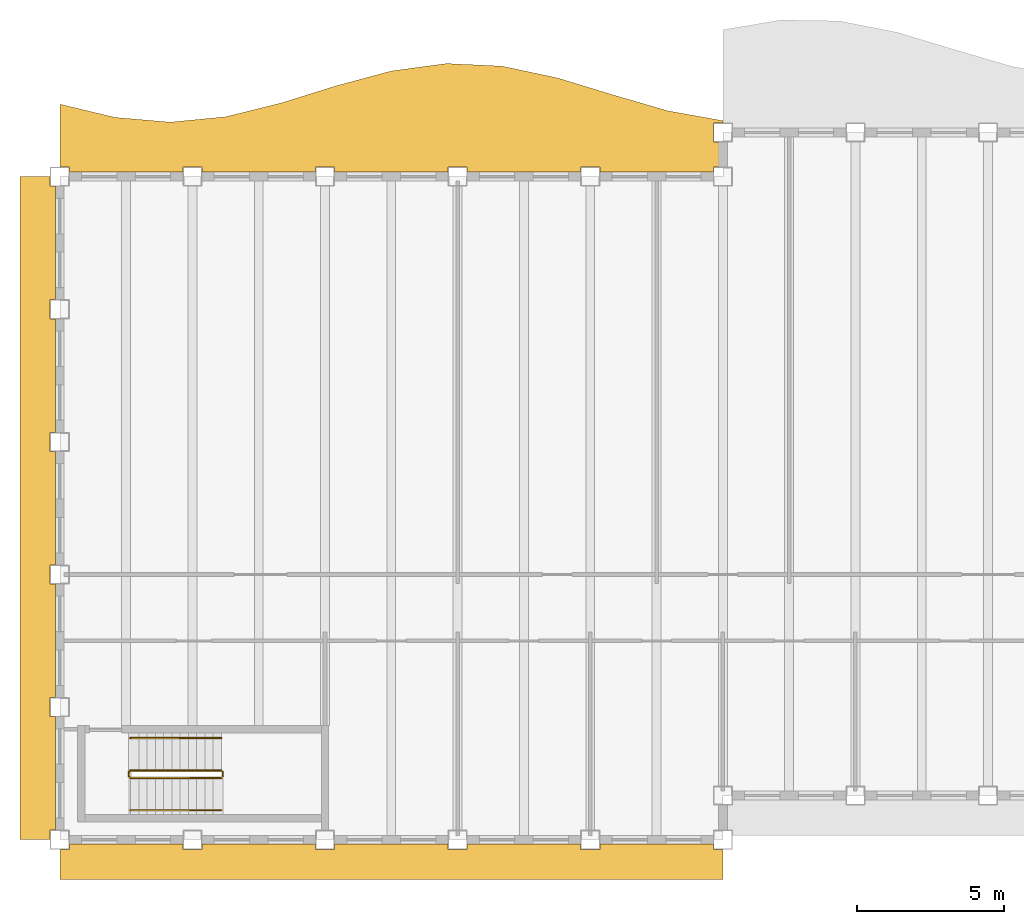
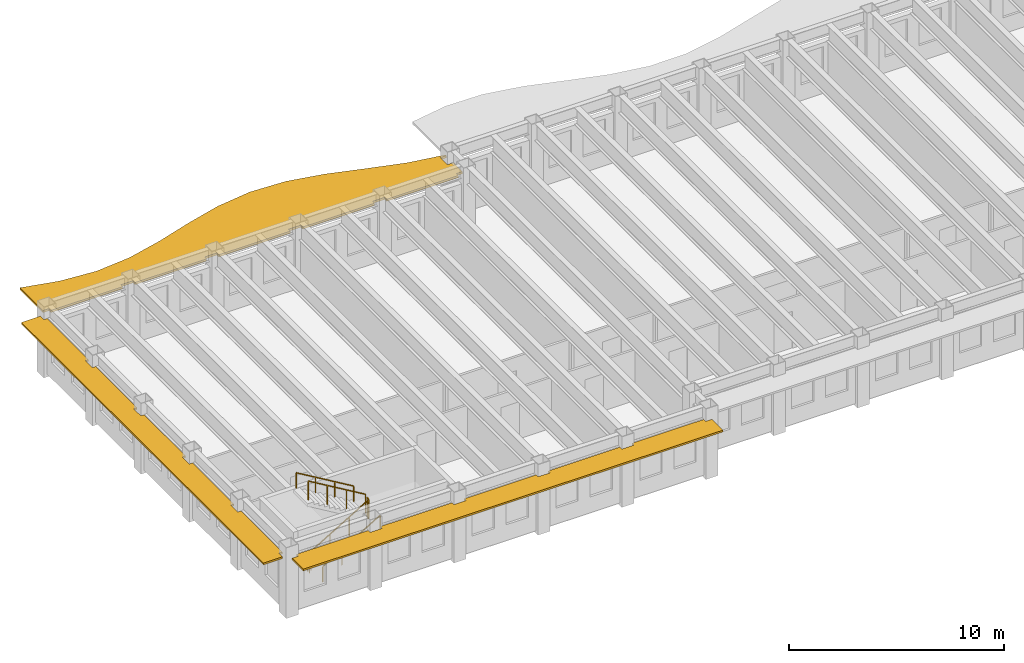
# One storey, part 8 of 12: 6 railings, 3 shading devices.
"""IFC4 building model written with IfcOpenShell, lengths in metres."""

import ifcopenshell
import ifcopenshell.guid

model = None  # the IFC model being written
_history = None  # IfcOwnerHistory: only IFC2X3 demands one
_inside = {}  # id of a spatial element -> (the spatial element, [elements in it])
_under = {}  # id of a project, library or spatial element -> (it, [spatial elements below it])
_declared = {}  # id of a project -> (the project, [libraries it declares])
_typed = {}  # id of a type object -> (the type object, [elements of that type])
_made_of = {}  # id of a material, layer set ... -> (it, [elements and type objects made of it])


def new_model(schema):
    """Start an empty IFC model of exactly this schema.

    Asked for "IFC4X3", IfcOpenShell would pick the latest addendum, in which some entities
    have other attributes; the version numbers below select the first issue.
    IFC2X3 requires an IfcOwnerHistory on every rooted entity: one is made here for all.
    """
    global model, _history
    if schema == "IFC4X3":
        model = ifcopenshell.file(schema_version=(4, 3, 0, 0))
    else:
        model = ifcopenshell.file(schema=schema)
    _inside.clear()
    _under.clear()
    _declared.clear()
    _typed.clear()
    _made_of.clear()
    _history = None
    if model.schema == "IFC2X3":
        org = make("IfcOrganization", Name="unknown")
        user = make(
            "IfcPersonAndOrganization",
            ThePerson=make("IfcPerson", FamilyName="unknown"),
            TheOrganization=org,
        )
        app = make(
            "IfcApplication",
            ApplicationDeveloper=org,
            Version="unknown",
            ApplicationFullName="unknown",
            ApplicationIdentifier="unknown",
        )
        _history = make(
            "IfcOwnerHistory",
            OwningUser=user,
            OwningApplication=app,
            ChangeAction="ADDED",
            CreationDate=0,
        )
    return model


def make(cls, **values):
    """One entity of the class cls with the attributes given. An attribute that is None is left unset."""
    return model.create_entity(
        cls, **{name: value for name, value in values.items() if value is not None}
    )


def rooted(cls, **values):
    """An entity with a GlobalId (a new one), such as an element, a storey or a relation."""
    return make(cls, GlobalId=ifcopenshell.guid.new(), OwnerHistory=_history, **values)


def si_unit(unit_type, name, prefix=None):
    """IfcSIUnit, for example si_unit("LENGTHUNIT", "METRE", prefix="MILLI")."""
    return make("IfcSIUnit", UnitType=unit_type, Prefix=prefix, Name=name)


def assignment(units):
    """IfcUnitAssignment: the units of a project."""
    return None if units is None else make("IfcUnitAssignment", Units=units)


def point(xyz):
    """IfcCartesianPoint."""
    return None if xyz is None else make("IfcCartesianPoint", Coordinates=xyz)


def direction(xyz):
    """IfcDirection."""
    return None if xyz is None else make("IfcDirection", DirectionRatios=xyz)


def frame(location, z_axis=None, x_axis=None):
    """IfcAxis2Placement3D, a coordinate frame: its origin and axes. An axis left out is left unset."""
    return make(
        "IfcAxis2Placement3D",
        Location=point(location),
        Axis=direction(z_axis),
        RefDirection=direction(x_axis),
    )


def frame_2d(location, x_axis=None):
    """IfcAxis2Placement2D, a coordinate frame in the plane: its origin and x axis."""
    return make(
        "IfcAxis2Placement2D", Location=point(location), RefDirection=direction(x_axis)
    )


def origin():
    """The frame at (0, 0, 0) with its axes left unset."""
    return frame((0.0, 0.0, 0.0))


def origin_2d():
    """The frame at (0, 0) in the plane with its x axis left unset."""
    return frame_2d((0.0, 0.0))


def place(relative_to, where):
    """IfcLocalPlacement: puts the frame where relative to a parent placement (None: the world)."""
    return make(
        "IfcLocalPlacement", PlacementRelTo=relative_to, RelativePlacement=where
    )


def context(
    kind, dimensions, precision=None, world=None, true_north=None, identifier=None
):
    """IfcGeometricRepresentationContext, for example the 3D "Model" context."""
    return make(
        "IfcGeometricRepresentationContext",
        ContextIdentifier=identifier,
        ContextType=kind,
        CoordinateSpaceDimension=dimensions,
        Precision=precision,
        WorldCoordinateSystem=world,
        TrueNorth=true_north,
    )


def subcontext(parent, identifier, kind, view, scale=None):
    """IfcGeometricRepresentationSubContext, for example "Body" below "Model"."""
    return make(
        "IfcGeometricRepresentationSubContext",
        ContextIdentifier=identifier,
        ContextType=kind,
        ParentContext=parent,
        TargetScale=scale,
        TargetView=view,
    )


def project(units=None, contexts=None):
    """IfcProject with its units and contexts."""
    return rooted(
        "IfcProject",
        Name="project",
        RepresentationContexts=contexts,
        UnitsInContext=assignment(units),
    )


def spatial(cls, under=None, at=None, **own):
    """A site, building, storey or space (cls), placed at a placement, below another one or the project."""
    s = rooted(cls, ObjectPlacement=at, **own)
    if under is not None:
        _under.setdefault(under.id(), (under, []))[1].append(s)
    return s


def polyline(points):
    """IfcPolyline through the points."""
    return make("IfcPolyline", Points=[point(p) for p in points])


def profile(cls, at=None, kind="AREA", **sizes):
    """A parametric profile (cls). Its sizes go by their IFC names, for example OverallWidth=200.0."""
    return make(cls, ProfileType=kind, Position=at, **sizes)


def rectangle(**sizes):
    """IfcRectangleProfileDef."""
    return profile("IfcRectangleProfileDef", **sizes)


def outline(outer, holes=None, kind="AREA"):
    """IfcArbitraryClosedProfileDef: a profile drawn as a closed curve; with holes, ...WithVoids."""
    if holes is None:
        return make("IfcArbitraryClosedProfileDef", ProfileType=kind, OuterCurve=outer)
    return make(
        "IfcArbitraryProfileDefWithVoids",
        ProfileType=kind,
        OuterCurve=outer,
        InnerCurves=holes,
    )


def extrude(swept, where, along, depth):
    """IfcExtrudedAreaSolid: the profile swept, set in the frame where, extruded along a direction by depth."""
    return make(
        "IfcExtrudedAreaSolid",
        SweptArea=swept,
        Position=where,
        ExtrudedDirection=direction(along),
        Depth=depth,
    )


def shape(context_of_items, identifier, shape_type, items):
    """IfcShapeRepresentation: the items that make up one representation, for example the "Body"."""
    return make(
        "IfcShapeRepresentation",
        ContextOfItems=context_of_items,
        RepresentationIdentifier=identifier,
        RepresentationType=shape_type,
        Items=items,
    )


def material(Name=None, Category=None):
    """IfcMaterial."""
    return make("IfcMaterial", Name=Name, Category=Category)


def layer(
    of_material, thickness, ventilated=None, Name=None, Category=None, Priority=None
):
    """IfcMaterialLayer: one layer of a wall or slab, of a material (None: an air gap)."""
    return make(
        "IfcMaterialLayer",
        Material=of_material,
        LayerThickness=thickness,
        IsVentilated=ventilated,
        Name=Name,
        Category=Category,
        Priority=Priority,
    )


def layer_set(layers, Name=None):
    """IfcMaterialLayerSet."""
    return make("IfcMaterialLayerSet", MaterialLayers=layers, LayerSetName=Name)


def made_of(thing, what):
    """Note that an element or type object is made of a material, layer set ...; save() writes the relation."""
    if what is not None:
        _made_of.setdefault(what.id(), (what, []))[1].append(thing)
    return thing


def type_object(cls, material=None, **own):
    """A type object (cls), such as IfcWallType, which elements share."""
    return made_of(rooted(cls, **own), material)


def element(
    cls,
    number,
    at=None,
    inside=None,
    cuts=None,
    type_object=None,
    material=None,
    context=None,
    identifier="Body",
    shape_type=None,
    held_by="IfcProductDefinitionShape",
    body=None,
    shapes=None,
    **own,
):
    """One element of the class cls, such as IfcWall. Its Tag is "e" and its number.

    at: its placement. inside: the storey or other place that contains it. cuts: it is an
    opening in that element (IfcRelVoidsElement). A single representation is given by context,
    identifier, shape_type and body (its items); several are given by shapes. held_by: the class
    of the entity that holds the representations. save() writes the other relations.
    """
    e = rooted(cls, Tag="e%d" % number, ObjectPlacement=at, **own)
    if body is not None:
        shapes = [shape(context, identifier, shape_type, body)]
    if shapes is not None:
        e.Representation = make(held_by, Representations=shapes)
    if inside is not None:
        _inside.setdefault(inside.id(), (inside, []))[1].append(e)
    if cuts is not None:
        rooted(
            "IfcRelVoidsElement", RelatingBuildingElement=cuts, RelatedOpeningElement=e
        )
    if type_object is not None:
        _typed.setdefault(type_object.id(), (type_object, []))[1].append(e)
    return made_of(e, material)


def aggregate(whole, parts):
    """IfcRelAggregates: a whole, such as a stair, and the parts it consists of."""
    return rooted("IfcRelAggregates", RelatingObject=whole, RelatedObjects=parts)


def save(model, path):
    """Write the relations noted so far, then the file.

    IfcRelAggregates (storeys below a building ...), IfcRelContainedInSpatialStructure (elements
    in a storey), IfcRelDefinesByType, IfcRelAssociatesMaterial and IfcRelDeclares: one each for
    every whole, place, type object, material and project.
    """
    for whole, parts in _under.values():
        aggregate(whole, parts)
    for where, things in _inside.values():
        rooted(
            "IfcRelContainedInSpatialStructure",
            RelatedElements=things,
            RelatingStructure=where,
        )
    for kind, things in _typed.values():
        rooted("IfcRelDefinesByType", RelatedObjects=things, RelatingType=kind)
    for what, things in _made_of.values():
        rooted("IfcRelAssociatesMaterial", RelatedObjects=things, RelatingMaterial=what)
    for by, libraries in _declared.values():
        rooted("IfcRelDeclares", RelatingContext=by, RelatedDefinitions=libraries)
    model.write(path)


model = new_model("IFC4")

# Units and contexts
model_context = context("Model", 3, precision=1e-05, world=origin(), true_north=direction((0.0, 1.0)))
body_context = subcontext(model_context, "Body", "Model", "MODEL_VIEW")
ifc_project = project(units=[si_unit("LENGTHUNIT", "METRE"), si_unit("AREAUNIT", "SQUARE_METRE"), si_unit("VOLUMEUNIT", "CUBIC_METRE"), si_unit("PLANEANGLEUNIT", "RADIAN"), si_unit("MASSUNIT", "GRAM", prefix="KILO")], contexts=[model_context])

# Site, building, storey
site_placement = place(None, origin())
site = spatial("IfcSite", under=ifc_project, at=site_placement, CompositionType="ELEMENT")
building_placement = place(site_placement, origin())
building = spatial("IfcBuilding", under=site, at=building_placement, Name="Sennacour Bend Tower", CompositionType="ELEMENT")
storey_placement = place(building_placement, frame((0.0, 0.0, 277.0)))
storey = spatial("IfcBuildingStorey", under=building, at=storey_placement, Name="L64", CompositionType="ELEMENT", Elevation=277.0)

# Railings
ifc_material_1 = material(Name="Stainless steel", Category="steel")
railing_type_1 = type_object("IfcRailingType", Name="RL-GUARD-1100", PredefinedType="GUARDRAIL", material=ifc_material_1)
railing_1_placement = place(storey_placement, frame((2.39990234375, 2.10009765625, 0.166748046875)))
element("IfcRailing", 1, at=railing_1_placement, inside=storey, type_object=railing_type_1, Name="L64 SK1 stair guard 1", PredefinedType="GUARDRAIL", context=body_context, shape_type="SweptSolid", body=[
    extrude(rectangle(XDim=0.048095703125, YDim=0.048095703125, at=origin_2d()), frame((0.0, 0.0, 1.076171875), z_axis=(0.859308565015, 0.0, 0.511457515432), x_axis=(0.0, 1.0, 0.0)), (0.0, 0.0, 1.0), 3.58447265625),
    extrude(rectangle(XDim=0.0419921875, YDim=0.0419921875, at=origin_2d()), origin(), (0.0, 0.0, 1.0), 1.052001953125),
    extrude(rectangle(XDim=0.0419921875, YDim=0.0419921875, at=origin_2d()), frame((1.026611328125, 0.0, 0.611083984375)), (0.0, 0.0, 1.0), 1.052001953125),
    extrude(rectangle(XDim=0.0419921875, YDim=0.0419921875, at=origin_2d()), frame((2.053466796875, 0.0, 1.22216796875)), (0.0, 0.0, 1.0), 1.052001953125),
    extrude(rectangle(XDim=0.0419921875, YDim=0.0419921875, at=origin_2d()), frame((3.080078125, 0.0, 1.833251953125)), (0.0, 0.0, 1.0), 1.052001953125),
])
railing_2_placement = place(storey_placement, frame((5.530029296875, 2.14990234375, 2.0)))
element("IfcRailing", 2, at=railing_2_placement, inside=storey, type_object=railing_type_1, Name="L64 SK1 stair guard 2", PredefinedType="GUARDRAIL", context=body_context, shape_type="SweptSolid", body=[
    extrude(rectangle(XDim=0.048095703125, YDim=0.048095703125, at=origin_2d()), frame((0.0, 0.0, 1.076171875), z_axis=(0.0, 1.0, 0.0), x_axis=(-1.0, 0.0, 0.0)), (0.0, 0.0, 1.0), 0.150146484375),
    extrude(rectangle(XDim=0.0419921875, YDim=0.0419921875, at=origin_2d()), origin(), (0.0, 0.0, 1.0), 1.052001953125),
    extrude(rectangle(XDim=0.0419921875, YDim=0.0419921875, at=origin_2d()), frame((0.0, 0.150146484375, 0.0)), (0.0, 0.0, 1.0), 1.052001953125),
])
railing_3_placement = place(storey_placement, frame((5.47998046875, 2.35009765625, 2.166748046875)))
element("IfcRailing", 3, at=railing_3_placement, inside=storey, type_object=railing_type_1, Name="L64 SK1 stair guard 3", PredefinedType="GUARDRAIL", context=body_context, shape_type="SweptSolid", body=[
    extrude(rectangle(XDim=0.048095703125, YDim=0.048095703125, at=origin_2d()), frame((0.0, 0.0, 1.076171875), z_axis=(-0.859308565015, 0.0, 0.511457515432), x_axis=(0.0, -1.0, 0.0)), (0.0, 0.0, 1.0), 3.58447265625),
    extrude(rectangle(XDim=0.0419921875, YDim=0.0419921875, at=origin_2d()), origin(), (0.0, 0.0, 1.0), 1.052001953125),
    extrude(rectangle(XDim=0.0419921875, YDim=0.0419921875, at=origin_2d()), frame((-1.026611328125, 0.0, 0.611083984375)), (0.0, 0.0, 1.0), 1.052001953125),
    extrude(rectangle(XDim=0.0419921875, YDim=0.0419921875, at=origin_2d()), frame((-2.053466796875, 0.0, 1.22216796875)), (0.0, 0.0, 1.0), 1.052001953125),
    extrude(rectangle(XDim=0.0419921875, YDim=0.0419921875, at=origin_2d()), frame((-3.080078125, 0.0, 1.833251953125)), (0.0, 0.0, 1.0), 1.052001953125),
])
railing_4_placement = place(storey_placement, frame((2.35009765625, 2.14990234375, 0.0)))
element("IfcRailing", 4, at=railing_4_placement, inside=storey, type_object=railing_type_1, Name="L64 SK1 stair guard 4", PredefinedType="GUARDRAIL", context=body_context, shape_type="SweptSolid", body=[
    extrude(rectangle(XDim=0.048095703125, YDim=0.048095703125, at=origin_2d()), frame((0.0, 0.0, 1.076171875), z_axis=(0.0, 1.0, 0.0), x_axis=(-1.0, 0.0, 0.0)), (0.0, 0.0, 1.0), 0.150146484375),
    extrude(rectangle(XDim=0.0419921875, YDim=0.0419921875, at=origin_2d()), origin(), (0.0, 0.0, 1.0), 1.052001953125),
    extrude(rectangle(XDim=0.0419921875, YDim=0.0419921875, at=origin_2d()), frame((0.0, 0.150146484375, 0.0)), (0.0, 0.0, 1.0), 1.052001953125),
])
railing_type_2 = type_object("IfcRailingType", Name="RL-HANDRAIL-900", PredefinedType="HANDRAIL", material=ifc_material_1)
railing_5_placement = place(storey_placement, frame((2.39990234375, 1.0, 0.166748046875)))
element("IfcRailing", 5, at=railing_5_placement, inside=storey, type_object=railing_type_2, Name="L64 SK1 stair handrail 1", PredefinedType="HANDRAIL", context=body_context, shape_type="SweptSolid", body=[
    extrude(rectangle(XDim=0.048095703125, YDim=0.048095703125, at=origin_2d()), frame((0.0, 0.0, 0.8759765625), z_axis=(0.859308565015, 0.0, 0.511457515432), x_axis=(0.0, 1.0, 0.0)), (0.0, 0.0, 1.0), 3.58447265625),
    extrude(rectangle(XDim=0.0419921875, YDim=0.0419921875, at=origin_2d()), origin(), (0.0, 0.0, 1.0), 0.851806640625),
    extrude(rectangle(XDim=0.0419921875, YDim=0.0419921875, at=origin_2d()), frame((1.026611328125, 0.0, 0.611083984375)), (0.0, 0.0, 1.0), 0.851806640625),
    extrude(rectangle(XDim=0.0419921875, YDim=0.0419921875, at=origin_2d()), frame((2.053466796875, 0.0, 1.22216796875)), (0.0, 0.0, 1.0), 0.851806640625),
    extrude(rectangle(XDim=0.0419921875, YDim=0.0419921875, at=origin_2d()), frame((3.080078125, 0.0, 1.833251953125)), (0.0, 0.0, 1.0), 0.851806640625),
])
railing_6_placement = place(storey_placement, frame((5.47998046875, 3.449951171875, 2.166748046875)))
element("IfcRailing", 6, at=railing_6_placement, inside=storey, type_object=railing_type_2, Name="L64 SK1 stair handrail 2", PredefinedType="HANDRAIL", context=body_context, shape_type="SweptSolid", body=[
    extrude(rectangle(XDim=0.048095703125, YDim=0.048095703125, at=origin_2d()), frame((0.0, 0.0, 0.8759765625), z_axis=(-0.859308565015, 0.0, 0.511457515432), x_axis=(0.0, -1.0, 0.0)), (0.0, 0.0, 1.0), 3.58447265625),
    extrude(rectangle(XDim=0.0419921875, YDim=0.0419921875, at=origin_2d()), origin(), (0.0, 0.0, 1.0), 0.851806640625),
    extrude(rectangle(XDim=0.0419921875, YDim=0.0419921875, at=origin_2d()), frame((-1.026611328125, 0.0, 0.611083984375)), (0.0, 0.0, 1.0), 0.851806640625),
    extrude(rectangle(XDim=0.0419921875, YDim=0.0419921875, at=origin_2d()), frame((-2.053466796875, 0.0, 1.22216796875)), (0.0, 0.0, 1.0), 0.851806640625),
    extrude(rectangle(XDim=0.0419921875, YDim=0.0419921875, at=origin_2d()), frame((-3.080078125, 0.0, 1.833251953125)), (0.0, 0.0, 1.0), 0.851806640625),
])

# Shading devices
ifc_material_2 = material(Name="Bronze anodised aluminium", Category="aluminium")
ifc_layer_1 = layer(ifc_material_2, 0.10009765625, Name="Bronze anodised aluminium", Category="aluminium")
ifc_layer_set_1 = layer_set([ifc_layer_1], Name="Bronze anodised aluminium")
shading_device_type_1 = type_object("IfcShadingDeviceType", Name="SUNSHADE BAND STRAIGHT", PredefinedType="USERDEFINED", material=ifc_layer_set_1)
shading_device_1_placement = place(storey_placement, frame((0.0, 0.0, 3.06201171875)))
element("IfcShadingDevice", 7, at=shading_device_1_placement, inside=storey, type_object=shading_device_type_1, Name="Sunshade band L64 K outer face", ObjectType="SUNSHADE", PredefinedType="USERDEFINED", context=body_context, shape_type="SweptSolid", body=[
    extrude(outline(polyline([(-0.14990234375, 18.324951171875), (-0.324951171875, 18.324951171875), (-0.324951171875, 17.675048828125), (-0.14990234375, 17.675048828125), (-0.14990234375, 13.824951171875), (-0.324951171875, 13.824951171875), (-0.324951171875, 13.175048828125), (-0.14990234375, 13.175048828125), (-0.14990234375, 9.324951171875), (-0.324951171875, 9.324951171875), (-0.324951171875, 8.675048828125), (-0.14990234375, 8.675048828125), (-0.14990234375, 4.824951171875), (-0.324951171875, 4.824951171875), (-0.324951171875, 4.175048828125), (-0.14990234375, 4.175048828125), (-0.14990234375, 0.324951171875), (-0.324951171875, 0.324951171875), (-0.324951171875, 0.0), (-1.35009765625, 0.0), (-1.35009765625, 22.5), (-0.324951171875, 22.5), (-0.324951171875, 22.175048828125), (-0.14990234375, 22.175048828125), (-0.14990234375, 18.324951171875)])), origin(), (0.0, 0.0, 1.0), 0.10009765625),
])
shading_device_2_placement = place(storey_placement, frame((0.0, 0.0, 3.06201171875)))
element("IfcShadingDevice", 8, at=shading_device_2_placement, inside=storey, type_object=shading_device_type_1, Name="Sunshade band L64 K outer face", ObjectType="SUNSHADE", PredefinedType="USERDEFINED", context=body_context, shape_type="SweptSolid", body=[
    extrude(outline(polyline([(4.175048828125, -0.14990234375), (4.175048828125, -0.324951171875), (4.824951171875, -0.324951171875), (4.824951171875, -0.14990234375), (8.675048828125, -0.14990234375), (8.675048828125, -0.324951171875), (9.324951171875, -0.324951171875), (9.324951171875, -0.14990234375), (13.175048828125, -0.14990234375), (13.175048828125, -0.324951171875), (13.824951171875, -0.324951171875), (13.824951171875, -0.14990234375), (17.675048828125, -0.14990234375), (17.675048828125, -0.324951171875), (18.324951171875, -0.324951171875), (18.324951171875, -0.14990234375), (22.175048828125, -0.14990234375), (22.175048828125, -0.324951171875), (22.5, -0.324951171875), (22.5, -1.35009765625), (0.0, -1.35009765625), (0.0, -0.324951171875), (0.324951171875, -0.324951171875), (0.324951171875, -0.14990234375), (4.175048828125, -0.14990234375)])), origin(), (0.0, 0.0, 1.0), 0.10009765625),
])
ifc_layer_2 = layer(ifc_material_2, 0.1201171875, Name="Bronze anodised aluminium", Category="aluminium")
ifc_layer_set_2 = layer_set([ifc_layer_2], Name="Bronze anodised aluminium")
shading_device_type_2 = type_object("IfcShadingDeviceType", Name="SUNSHADE BAND WAVE", PredefinedType="USERDEFINED", material=ifc_layer_set_2)
shading_device_3_placement = place(storey_placement, frame((0.0, 0.0, 3.0419921875)))
element("IfcShadingDevice", 9, at=shading_device_3_placement, inside=storey, type_object=shading_device_type_2, Name="Sunshade band L64 concave faces", ObjectType="SUNSHADE", PredefinedType="USERDEFINED", context=body_context, shape_type="SweptSolid", body=[
    extrude(outline(polyline([(22.175048828125, 22.64990234375), (18.324951171875, 22.64990234375), (18.324951171875, 22.824951171875), (17.675048828125, 22.824951171875), (17.675048828125, 22.64990234375), (13.824951171875, 22.64990234375), (13.824951171875, 22.824951171875), (13.175048828125, 22.824951171875), (13.175048828125, 22.64990234375), (9.324951171875, 22.64990234375), (9.324951171875, 22.824951171875), (8.675048828125, 22.824951171875), (8.675048828125, 22.64990234375), (4.824951171875, 22.64990234375), (4.824951171875, 22.824951171875), (4.175048828125, 22.824951171875), (4.175048828125, 22.64990234375), (0.324951171875, 22.64990234375), (0.324951171875, 22.824951171875), (0.0, 22.824951171875), (0.0, 24.960693359375), (1.875, 24.51123046875), (3.75, 24.35009765625), (5.625, 24.53271484375), (7.5, 24.99609375), (9.375, 25.5810546875), (11.25, 26.086669921875), (13.125, 26.339111328125), (15.0, 26.251708984375), (16.875, 25.85400390625), (18.75, 25.283447265625), (20.625, 24.735595703125), (22.5, 24.39892578125), (22.5, 24.324951171875), (22.175048828125, 24.324951171875), (22.175048828125, 23.675048828125), (22.5, 23.675048828125), (22.5, 22.824951171875), (22.175048828125, 22.824951171875), (22.175048828125, 22.64990234375)])), origin(), (0.0, 0.0, 1.0), 0.1201171875),
])

save(model, "model.ifc")
